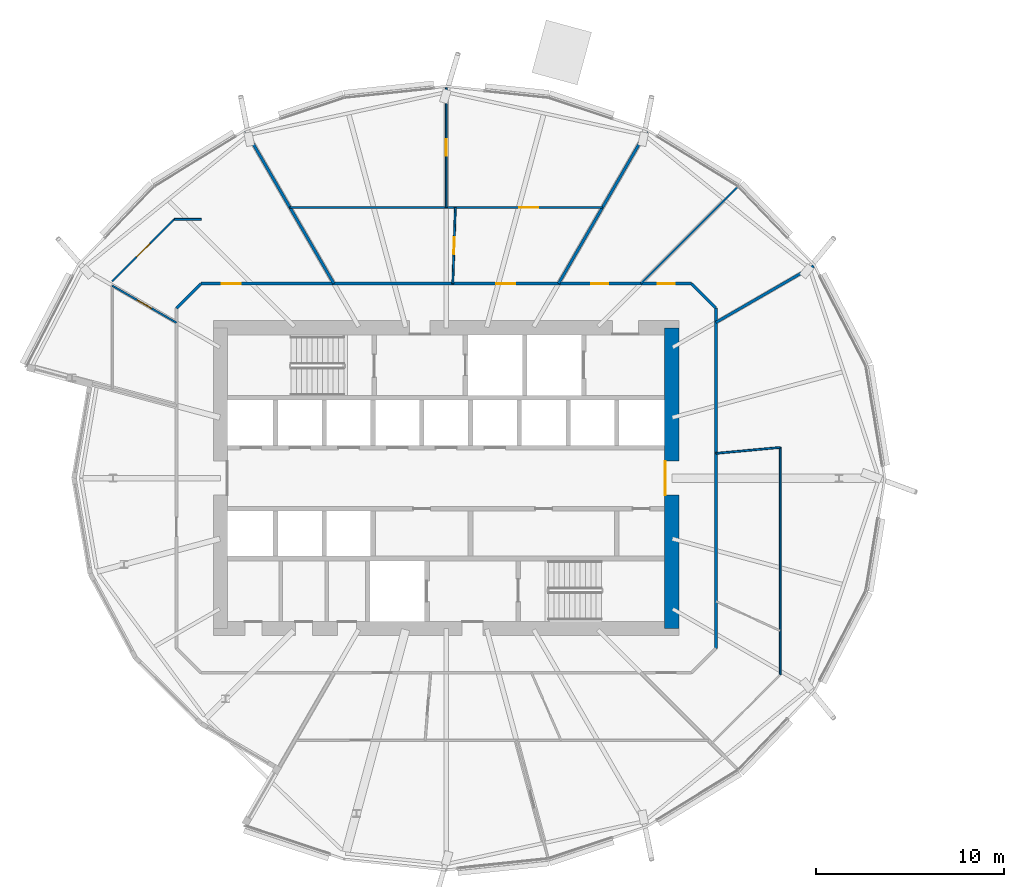
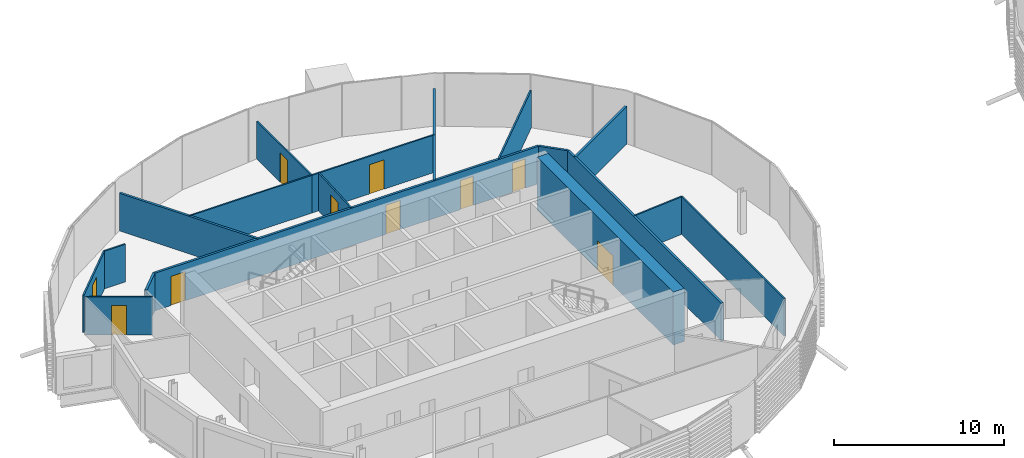
# One storey, part 23 of 38: 18 walls, 10 doors, 10 openings.
"""IFC4 building model written with IfcOpenShell, lengths in metres."""

from ifc_helpers import new_model, si_unit, direction, frame, frame_2d, origin, place, context, subcontext, project, spatial, rectangle, extrude, material, layer, layer_set, type_object, element, fill, save


model = new_model("IFC4")

# Units and contexts
model_context = context("Model", 3, precision=1e-05, world=origin(), true_north=direction((0.0, 1.0)))
body_context = subcontext(model_context, "Body", "Model", "MODEL_VIEW")
ifc_project = project(units=[si_unit("LENGTHUNIT", "METRE"), si_unit("AREAUNIT", "SQUARE_METRE"), si_unit("VOLUMEUNIT", "CUBIC_METRE"), si_unit("PLANEANGLEUNIT", "RADIAN"), si_unit("MASSUNIT", "GRAM", prefix="KILO")], contexts=[model_context])

# Site, building, storey
site_placement = place(None, origin())
site = spatial("IfcSite", under=ifc_project, at=site_placement, CompositionType="ELEMENT")
building_placement = place(site_placement, origin())
building = spatial("IfcBuilding", under=site, at=building_placement, Name="Rimbun Link Towers", CompositionType="ELEMENT")
storey_placement = place(building_placement, frame((0.0, 0.0, 108.199951171875)))
storey = spatial("IfcBuildingStorey", under=building, at=storey_placement, Name="L26", CompositionType="ELEMENT", Elevation=108.199951171875)

# Wall, opening, door
ifc_material_1 = material(Name="Concrete C60/75", Category="concrete")
ifc_layer_1 = layer(ifc_material_1, 0.75)
ifc_layer_set_1 = layer_set([ifc_layer_1], Name="Core shear wall 750")
wall_type_1 = type_object("IfcWallType", Name="Core shear wall 750", PredefinedType="SHEAR", material=ifc_layer_set_1)
wall_1_placement = place(storey_placement, frame((-19.75, -8.0, 0.0), z_axis=(0.0, 0.0, 1.0), x_axis=(0.0, 1.0, 0.0)))
wall_1 = element("IfcWall", 1, at=wall_1_placement, inside=storey, type_object=wall_type_1, Name="L26 T1 core wall E", PredefinedType="SHEAR", context=body_context, shape_type="SweptSolid", body=[
    extrude(rectangle(XDim=16.0, YDim=0.75, at=frame_2d((8.0, 0.0))), origin(), (0.0, 0.0, 1.0), 3.800048828125),
])
opening_1_placement = place(wall_1_placement, frame((7.10009765625, 0.0, 0.0)))
opening_1 = element("IfcOpeningElement", 2, at=opening_1_placement, cuts=wall_1, Name="Opening C1DCL01E", PredefinedType="OPENING", context=body_context, shape_type="SweptSolid", body=[
    extrude(rectangle(XDim=1.800048828125, YDim=2.10009765625, at=frame_2d((0.89990234375, 1.050048828125))), frame((0.0, 0.385009765625, 0.0), z_axis=(0.0, -1.0, 0.0), x_axis=(1.0, 0.0, 0.0)), (0.0, 0.0, 1.0), 0.77001953125),
])
ifc_material_2 = material(Name="Steel fire door set", Category="steel")
door_type_1 = type_object("IfcDoorType", Name="Core lobby door double", OperationType="DOUBLE_DOOR_SINGLE_SWING", PredefinedType="DOOR", material=ifc_material_2)
door_1_placement = place(opening_1_placement, origin())
door_1 = element("IfcDoor", 3, at=door_1_placement, inside=storey, type_object=door_type_1, Name="L26 T1 lift lobby door", OperationType="DOUBLE_DOOR_SINGLE_SWING", OverallHeight=2.10009765625, OverallWidth=1.800048828125, PredefinedType="DOOR", context=body_context, shape_type="SweptSolid", body=[
    extrude(rectangle(XDim=1.800048828125, YDim=2.10009765625, at=frame_2d((0.89990234375, 1.050048828125))), frame((0.0, 0.375, 0.0), z_axis=(0.0, -1.0, 0.0), x_axis=(1.0, 0.0, 0.0)), (0.0, 0.0, 1.0), 0.050048828125),
])
fill(opening_1, door_1)

# Wall, openings, doors
ifc_material_3 = material(Name="Plasterboard on steel stud, mineral wool", Category="steel")
ifc_layer_2 = layer(ifc_material_3, 0.14990234375)
ifc_layer_set_2 = layer_set([ifc_layer_2], Name="Corridor wall EI 30 150 mm")
wall_type_2 = type_object("IfcWallType", Name="Corridor wall EI 30 150 mm", PredefinedType="PARTITIONING", material=ifc_layer_set_2)
wall_2_placement = place(storey_placement, frame((-44.8017578125, 10.35009765625, 0.0), z_axis=(0.0, 0.0, 1.0), x_axis=(1.0, 0.0, 0.0)))
wall_2 = element("IfcWall", 4, at=wall_2_placement, inside=storey, type_object=wall_type_2, Name="Corridor wall EI 30 150 mm", PredefinedType="PARTITIONING", context=body_context, shape_type="SweptSolid", body=[
    extrude(rectangle(XDim=26.103515625, YDim=0.14990234375, at=frame_2d((13.0517578125, 0.0))), origin(), (0.0, 0.0, 1.0), 2.7021484375),
])
opening_2_placement = place(wall_2_placement, frame((24.302490234375, 0.0, 0.0)))
opening_2 = element("IfcOpeningElement", 5, at=opening_2_placement, cuts=wall_2, Name="Opening D02", PredefinedType="OPENING", context=body_context, shape_type="SweptSolid", body=[
    extrude(rectangle(XDim=0.89990234375, YDim=2.10009765625, at=frame_2d((0.449951171875, 1.050048828125))), frame((0.0, 0.0849609375, 0.0), z_axis=(0.0, -1.0, 0.0), x_axis=(1.0, 0.0, 0.0)), (0.0, 0.0, 1.0), 0.169921875),
])
opening_3_placement = place(wall_2_placement, frame((20.764404296875, 0.0, 0.0)))
opening_3 = element("IfcOpeningElement", 6, at=opening_3_placement, cuts=wall_2, Name="Opening D02", PredefinedType="OPENING", context=body_context, shape_type="SweptSolid", body=[
    extrude(rectangle(XDim=0.89990234375, YDim=2.10009765625, at=frame_2d((0.449951171875, 1.050048828125))), frame((0.0, 0.0849609375, 0.0), z_axis=(0.0, -1.0, 0.0), x_axis=(1.0, 0.0, 0.0)), (0.0, 0.0, 1.0), 0.169921875),
])
opening_4_placement = place(wall_2_placement, frame((15.714599609375, 0.0, 0.0)))
opening_4 = element("IfcOpeningElement", 7, at=opening_4_placement, cuts=wall_2, Name="Opening D01", PredefinedType="OPENING", context=body_context, shape_type="SweptSolid", body=[
    extrude(rectangle(XDim=1.0, YDim=2.10009765625, at=frame_2d((0.5, 1.050048828125))), frame((0.0, 0.0849609375, 0.0), z_axis=(0.0, -1.0, 0.0), x_axis=(1.0, 0.0, 0.0)), (0.0, 0.0, 1.0), 0.169921875),
])
opening_5_placement = place(wall_2_placement, frame((1.1123046875, 0.0, 0.0)))
opening_5 = element("IfcOpeningElement", 8, at=opening_5_placement, cuts=wall_2, Name="Opening D01", PredefinedType="OPENING", context=body_context, shape_type="SweptSolid", body=[
    extrude(rectangle(XDim=1.0, YDim=2.10009765625, at=frame_2d((0.5, 1.050048828125))), frame((0.0, 0.0849609375, 0.0), z_axis=(0.0, -1.0, 0.0), x_axis=(1.0, 0.0, 0.0)), (0.0, 0.0, 1.0), 0.169921875),
])
ifc_material_4 = material(Name="Fire-resisting timber door leaf", Category="wood")
door_type_2 = type_object("IfcDoorType", Name="Fire door FD30S 1000", OperationType="NOTDEFINED", PredefinedType="DOOR", material=ifc_material_4)
door_2_placement = place(opening_4_placement, origin())
door_2 = element("IfcDoor", 9, at=door_2_placement, inside=storey, type_object=door_type_2, Name="Fire door FD30S 1000 to Reception", OperationType="SINGLE_SWING_LEFT", OverallHeight=2.10009765625, OverallWidth=1.0, PredefinedType="DOOR", context=body_context, shape_type="SweptSolid", body=[
    extrude(rectangle(XDim=1.0, YDim=2.10009765625, at=frame_2d((0.5, 1.050048828125))), frame((0.0, 0.02490234375, 0.0), z_axis=(0.0, -1.0, 0.0), x_axis=(1.0, 0.0, 0.0)), (0.0, 0.0, 1.0), 0.050048828125),
])
fill(opening_4, door_2)
door_3_placement = place(opening_5_placement, origin())
door_3 = element("IfcDoor", 10, at=door_3_placement, inside=storey, type_object=door_type_2, Name="Fire door FD30S 1000 to Reception", OperationType="SINGLE_SWING_RIGHT", OverallHeight=2.10009765625, OverallWidth=1.0, PredefinedType="DOOR", context=body_context, shape_type="SweptSolid", body=[
    extrude(rectangle(XDim=1.0, YDim=2.10009765625, at=frame_2d((0.5, 1.050048828125))), frame((0.0, 0.02490234375, 0.0), z_axis=(0.0, -1.0, 0.0), x_axis=(1.0, 0.0, 0.0)), (0.0, 0.0, 1.0), 0.050048828125),
])
fill(opening_5, door_3)
ifc_material_5 = material(Name="Fire-resisting timber door leaf", Category="wood")
door_type_3 = type_object("IfcDoorType", Name="Fire door FD30S 900", OperationType="NOTDEFINED", PredefinedType="DOOR", material=ifc_material_5)
door_4_placement = place(opening_2_placement, origin())
door_4 = element("IfcDoor", 11, at=door_4_placement, inside=storey, type_object=door_type_3, Name="Fire door FD30S 900 to Cellular office", OperationType="SINGLE_SWING_RIGHT", OverallHeight=2.10009765625, OverallWidth=0.89990234375, PredefinedType="DOOR", context=body_context, shape_type="SweptSolid", body=[
    extrude(rectangle(XDim=0.89990234375, YDim=2.10009765625, at=frame_2d((0.449951171875, 1.050048828125))), frame((0.0, 0.02490234375, 0.0), z_axis=(0.0, -1.0, 0.0), x_axis=(1.0, 0.0, 0.0)), (0.0, 0.0, 1.0), 0.050048828125),
])
fill(opening_2, door_4)
door_5_placement = place(opening_3_placement, origin())
door_5 = element("IfcDoor", 12, at=door_5_placement, inside=storey, type_object=door_type_3, Name="Fire door FD30S 900 to Cellular office", OperationType="SINGLE_SWING_RIGHT", OverallHeight=2.10009765625, OverallWidth=0.89990234375, PredefinedType="DOOR", context=body_context, shape_type="SweptSolid", body=[
    extrude(rectangle(XDim=0.89990234375, YDim=2.10009765625, at=frame_2d((0.449951171875, 1.050048828125))), frame((0.0, 0.02490234375, 0.0), z_axis=(0.0, -1.0, 0.0), x_axis=(1.0, 0.0, 0.0)), (0.0, 0.0, 1.0), 0.050048828125),
])
fill(opening_3, door_5)

# Walls
wall_3_placement = place(storey_placement, frame((-17.39990234375, 9.0517578125, 0.0), z_axis=(0.0, 0.0, 1.0), x_axis=(-0.707106781187, 0.707106781187, 0.0)))
element("IfcWall", 13, at=wall_3_placement, inside=storey, type_object=wall_type_2, Name="Corridor wall EI 30 150 mm", PredefinedType="PARTITIONING", context=body_context, shape_type="SweptSolid", body=[
    extrude(rectangle(XDim=1.836181640625, YDim=0.14990234375, at=frame_2d((0.91796875, 0.0))), origin(), (0.0, 0.0, 1.0), 2.7021484375),
])
wall_4_placement = place(storey_placement, frame((-17.39990234375, -9.0517578125, 0.0), z_axis=(0.0, 0.0, 1.0), x_axis=(0.0, 1.0, 0.0)))
element("IfcWall", 14, at=wall_4_placement, inside=storey, type_object=wall_type_2, Name="Corridor wall EI 30 150 mm", PredefinedType="PARTITIONING", context=body_context, shape_type="SweptSolid", body=[
    extrude(rectangle(XDim=18.103515625, YDim=0.14990234375, at=frame_2d((9.0517578125, 0.0))), origin(), (0.0, 0.0, 1.0), 2.7021484375),
])
wall_5_placement = place(storey_placement, frame((-44.8017578125, 10.35009765625, 0.0), z_axis=(0.0, 0.0, 1.0), x_axis=(-0.707106781187, -0.707106781187, 0.0)))
element("IfcWall", 15, at=wall_5_placement, inside=storey, type_object=wall_type_2, Name="Corridor wall EI 30 150 mm", PredefinedType="PARTITIONING", context=body_context, shape_type="SweptSolid", body=[
    extrude(rectangle(XDim=1.836181640625, YDim=0.14990234375, at=frame_2d((0.91796875, 0.0))), origin(), (0.0, 0.0, 1.0), 2.7021484375),
])
ifc_material_6 = material(Name="Plasterboard on steel stud", Category="steel")
ifc_layer_3 = layer(ifc_material_6, 0.10009765625)
ifc_layer_set_3 = layer_set([ifc_layer_3], Name="Plasterboard partition 100 mm")
wall_type_3 = type_object("IfcWallType", Name="Plasterboard partition 100 mm", PredefinedType="PARTITIONING", material=ifc_layer_set_3)
wall_6_placement = place(storey_placement, frame((-13.97998046875, -10.46826171875, 0.0), z_axis=(0.0, 0.0, 1.0), x_axis=(0.0, 1.0, 0.0)))
element("IfcWall", 16, at=wall_6_placement, inside=storey, type_object=wall_type_3, Name="Plasterboard partition 100 mm", PredefinedType="PARTITIONING", context=body_context, shape_type="SweptSolid", body=[
    extrude(rectangle(XDim=12.101806640625, YDim=0.10009765625, at=frame_2d((6.05078125, 0.0))), origin(), (0.0, 0.0, 1.0), 2.7021484375),
])
wall_7_placement = place(storey_placement, frame((-13.97998046875, 1.633544921875, 0.0), z_axis=(0.0, 0.0, 1.0), x_axis=(-0.995799448396, -0.09156122855, 0.0)))
element("IfcWall", 17, at=wall_7_placement, inside=storey, type_object=wall_type_3, Name="Plasterboard partition 100 mm", PredefinedType="PARTITIONING", context=body_context, shape_type="SweptSolid", body=[
    extrude(rectangle(XDim=3.434326171875, YDim=0.10009765625, at=frame_2d((1.71728515625, 0.0))), origin(), (0.0, 0.0, 1.0), 2.7021484375),
])
wall_8_placement = place(storey_placement, frame((-16.243408203125, 15.506591796875, 0.0), z_axis=(0.0, 0.0, 1.0), x_axis=(-0.707106781187, -0.707106781187, 0.0)))
element("IfcWall", 18, at=wall_8_placement, inside=storey, type_object=wall_type_3, Name="Plasterboard partition 100 mm", PredefinedType="PARTITIONING", context=body_context, shape_type="SweptSolid", body=[
    extrude(rectangle(XDim=7.29248046875, YDim=0.10009765625, at=frame_2d((3.646240234375, 0.0))), origin(), (0.0, 0.0, 1.0), 2.7021484375),
])

# Wall, opening, door
wall_9_placement = place(storey_placement, frame((-31.399658203125, 10.35009765625, 0.0), z_axis=(0.0, 0.0, 1.0), x_axis=(0.03380030433, 0.999428606468, 0.0)))
wall_9 = element("IfcWall", 19, at=wall_9_placement, inside=storey, type_object=wall_type_3, Name="Plasterboard partition 100 mm", PredefinedType="PARTITIONING", context=body_context, shape_type="SweptSolid", body=[
    extrude(rectangle(XDim=4.052001953125, YDim=0.10009765625, at=frame_2d((2.02587890625, 0.0))), origin(), (0.0, 0.0, 1.0), 2.7021484375),
])
opening_6_placement = place(wall_9_placement, frame((1.576171875, 0.0, 0.0)))
opening_6 = element("IfcOpeningElement", 20, at=opening_6_placement, cuts=wall_9, Name="Opening D04", PredefinedType="OPENING", context=body_context, shape_type="SweptSolid", body=[
    extrude(rectangle(XDim=0.89990234375, YDim=2.10009765625, at=frame_2d((0.449951171875, 1.050048828125))), frame((0.0, 0.06005859375, 0.0), z_axis=(0.0, -1.0, 0.0), x_axis=(1.0, 0.0, 0.0)), (0.0, 0.0, 1.0), 0.1201171875),
])
ifc_material_7 = material(Name="Timber door leaf", Category="wood")
door_type_4 = type_object("IfcDoorType", Name="Flush door 900", OperationType="NOTDEFINED", PredefinedType="DOOR", material=ifc_material_7)
door_6_placement = place(opening_6_placement, origin())
door_6 = element("IfcDoor", 21, at=door_6_placement, inside=storey, type_object=door_type_4, Name="Flush door 900 to Pantry", OperationType="SINGLE_SWING_LEFT", OverallHeight=2.10009765625, OverallWidth=0.89990234375, PredefinedType="DOOR", context=body_context, shape_type="SweptSolid", body=[
    extrude(rectangle(XDim=0.89990234375, YDim=2.10009765625, at=frame_2d((0.449951171875, 1.050048828125))), frame((0.0, 0.02490234375, 0.0), z_axis=(0.0, -1.0, 0.0), x_axis=(1.0, 0.0, 0.0)), (0.0, 0.0, 1.0), 0.050048828125),
])
fill(opening_6, door_6)

wall_10_placement = place(storey_placement, frame((-31.75, 14.39990234375, 0.0), z_axis=(0.0, 0.0, 1.0), x_axis=(1.0, 0.0, 0.0)))
wall_10 = element("IfcWall", 22, at=wall_10_placement, inside=storey, type_object=wall_type_3, Name="Plasterboard partition 100 mm", PredefinedType="PARTITIONING", context=body_context, shape_type="SweptSolid", body=[
    extrude(rectangle(XDim=8.31396484375, YDim=0.10009765625, at=frame_2d((4.156982421875, 0.0))), origin(), (0.0, 0.0, 1.0), 2.7021484375),
])
opening_7_placement = place(wall_10_placement, frame((3.885498046875, 0.0, 0.0)))
opening_7 = element("IfcOpeningElement", 23, at=opening_7_placement, cuts=wall_10, Name="Opening D03", PredefinedType="OPENING", context=body_context, shape_type="SweptSolid", body=[
    extrude(rectangle(XDim=1.0, YDim=2.10009765625, at=frame_2d((0.5, 1.050048828125))), frame((0.0, 0.06005859375, 0.0), z_axis=(0.0, -1.0, 0.0), x_axis=(1.0, 0.0, 0.0)), (0.0, 0.0, 1.0), 0.1201171875),
])
ifc_material_8 = material(Name="Timber door leaf", Category="wood")
door_type_5 = type_object("IfcDoorType", Name="Flush door 1000", OperationType="NOTDEFINED", PredefinedType="DOOR", material=ifc_material_8)
door_7_placement = place(opening_7_placement, origin())
door_7 = element("IfcDoor", 24, at=door_7_placement, inside=storey, type_object=door_type_5, Name="Flush door 1000 to Boardroom", OperationType="SINGLE_SWING_RIGHT", OverallHeight=2.10009765625, OverallWidth=1.0, PredefinedType="DOOR", context=body_context, shape_type="SweptSolid", body=[
    extrude(rectangle(XDim=1.0, YDim=2.10009765625, at=frame_2d((0.5, 1.050048828125))), frame((0.0, 0.02490234375, 0.0), z_axis=(0.0, -1.0, 0.0), x_axis=(1.0, 0.0, 0.0)), (0.0, 0.0, 1.0), 0.050048828125),
])
fill(opening_7, door_7)

# Wall
wall_11_placement = place(storey_placement, frame((-31.75, 14.39990234375, 0.0), z_axis=(0.0, 0.0, 1.0), x_axis=(-1.0, 0.0, 0.0)))
element("IfcWall", 25, at=wall_11_placement, inside=storey, type_object=wall_type_3, Name="Plasterboard partition 100 mm", PredefinedType="PARTITIONING", context=body_context, shape_type="SweptSolid", body=[
    extrude(rectangle(XDim=8.31396484375, YDim=0.10009765625, at=frame_2d((4.156982421875, 0.0))), origin(), (0.0, 0.0, 1.0), 2.7021484375),
])

# Wall, opening, door
wall_12_placement = place(storey_placement, frame((-31.75, 14.39990234375, 0.0), z_axis=(0.0, 0.0, 1.0), x_axis=(0.0, 1.0, 0.0)))
wall_12 = element("IfcWall", 26, at=wall_12_placement, inside=storey, type_object=wall_type_3, Name="Plasterboard partition 100 mm", PredefinedType="PARTITIONING", context=body_context, shape_type="SweptSolid", body=[
    extrude(rectangle(XDim=6.38818359375, YDim=0.10009765625, at=frame_2d((3.194091796875, 0.0))), origin(), (0.0, 0.0, 1.0), 2.7021484375),
])
opening_8_placement = place(wall_12_placement, frame((2.743896484375, 0.0, 0.0)))
opening_8 = element("IfcOpeningElement", 27, at=opening_8_placement, cuts=wall_12, Name="Opening D04", PredefinedType="OPENING", context=body_context, shape_type="SweptSolid", body=[
    extrude(rectangle(XDim=0.89990234375, YDim=2.10009765625, at=frame_2d((0.449951171875, 1.050048828125))), frame((0.0, 0.06005859375, 0.0), z_axis=(0.0, -1.0, 0.0), x_axis=(1.0, 0.0, 0.0)), (0.0, 0.0, 1.0), 0.1201171875),
])
door_8_placement = place(opening_8_placement, origin())
door_8 = element("IfcDoor", 28, at=door_8_placement, inside=storey, type_object=door_type_4, Name="Flush door 900 to Meeting room", OperationType="SINGLE_SWING_LEFT", OverallHeight=2.10009765625, OverallWidth=0.89990234375, PredefinedType="DOOR", context=body_context, shape_type="SweptSolid", body=[
    extrude(rectangle(XDim=0.89990234375, YDim=2.10009765625, at=frame_2d((0.449951171875, 1.050048828125))), frame((0.0, 0.02490234375, 0.0), z_axis=(0.0, -1.0, 0.0), x_axis=(1.0, 0.0, 0.0)), (0.0, 0.0, 1.0), 0.050048828125),
])
fill(opening_8, door_8)

wall_13_placement = place(storey_placement, frame((-46.10009765625, 8.26953125, 0.0), z_axis=(0.0, 0.0, 1.0), x_axis=(-0.866414091521, 0.499326167965, 0.0)))
wall_13 = element("IfcWall", 29, at=wall_13_placement, inside=storey, type_object=wall_type_3, Name="Plasterboard partition 100 mm", PredefinedType="PARTITIONING", context=body_context, shape_type="SweptSolid", body=[
    extrude(rectangle(XDim=3.947265625, YDim=0.10009765625, at=frame_2d((1.9736328125, 0.0))), origin(), (0.0, 0.0, 1.0), 2.7021484375),
])
opening_9_placement = place(wall_13_placement, frame((1.523681640625, 0.0, 0.0)))
opening_9 = element("IfcOpeningElement", 30, at=opening_9_placement, cuts=wall_13, Name="Opening D04", PredefinedType="OPENING", context=body_context, shape_type="SweptSolid", body=[
    extrude(rectangle(XDim=0.89990234375, YDim=2.10009765625, at=frame_2d((0.449951171875, 1.050048828125))), frame((0.0, 0.06005859375, 0.0), z_axis=(0.0, -1.0, 0.0), x_axis=(1.0, 0.0, 0.0)), (0.0, 0.0, 1.0), 0.1201171875),
])
door_9_placement = place(opening_9_placement, origin())
door_9 = element("IfcDoor", 31, at=door_9_placement, inside=storey, type_object=door_type_4, Name="Flush door 900 to Meeting room", OperationType="SINGLE_SWING_RIGHT", OverallHeight=2.10009765625, OverallWidth=0.89990234375, PredefinedType="DOOR", context=body_context, shape_type="SweptSolid", body=[
    extrude(rectangle(XDim=0.89990234375, YDim=2.10009765625, at=frame_2d((0.449951171875, 1.050048828125))), frame((0.0, 0.02490234375, 0.0), z_axis=(0.0, -1.0, 0.0), x_axis=(1.0, 0.0, 0.0)), (0.0, 0.0, 1.0), 0.050048828125),
])
fill(opening_9, door_9)

wall_14_placement = place(storey_placement, frame((-49.52001953125, 10.46826171875, 0.0), z_axis=(0.0, 0.0, 1.0), x_axis=(0.707106781187, 0.707106781187, 0.0)))
wall_14 = element("IfcWall", 32, at=wall_14_placement, inside=storey, type_object=wall_type_3, Name="Plasterboard partition 100 mm", PredefinedType="PARTITIONING", context=body_context, shape_type="SweptSolid", body=[
    extrude(rectangle(XDim=4.66943359375, YDim=0.10009765625, at=frame_2d((2.334716796875, 0.0))), origin(), (0.0, 0.0, 1.0), 2.7021484375),
])
opening_10_placement = place(wall_14_placement, frame((1.834716796875, 0.0, 0.0)))
opening_10 = element("IfcOpeningElement", 33, at=opening_10_placement, cuts=wall_14, Name="Opening D03", PredefinedType="OPENING", context=body_context, shape_type="SweptSolid", body=[
    extrude(rectangle(XDim=1.0, YDim=2.10009765625, at=frame_2d((0.5, 1.050048828125))), frame((0.0, 0.06005859375, 0.0), z_axis=(0.0, -1.0, 0.0), x_axis=(1.0, 0.0, 0.0)), (0.0, 0.0, 1.0), 0.1201171875),
])
door_10_placement = place(opening_10_placement, origin())
door_10 = element("IfcDoor", 34, at=door_10_placement, inside=storey, type_object=door_type_5, Name="Flush door 1000 to Open office", OperationType="SINGLE_SWING_LEFT", OverallHeight=2.10009765625, OverallWidth=1.0, PredefinedType="DOOR", context=body_context, shape_type="SweptSolid", body=[
    extrude(rectangle(XDim=1.0, YDim=2.10009765625, at=frame_2d((0.5, 1.050048828125))), frame((0.0, 0.02490234375, 0.0), z_axis=(0.0, -1.0, 0.0), x_axis=(1.0, 0.0, 0.0)), (0.0, 0.0, 1.0), 0.050048828125),
])
fill(opening_10, door_10)

# Walls
wall_15_placement = place(storey_placement, frame((-44.78271484375, 13.77001953125, 0.0), z_axis=(0.0, 0.0, 1.0), x_axis=(-1.0, 0.0, 0.0)))
element("IfcWall", 35, at=wall_15_placement, inside=storey, type_object=wall_type_3, Name="Plasterboard partition 100 mm", PredefinedType="PARTITIONING", context=body_context, shape_type="SweptSolid", body=[
    extrude(rectangle(XDim=1.435546875, YDim=0.10009765625, at=frame_2d((0.7177734375, 0.0))), origin(), (0.0, 0.0, 1.0), 2.7021484375),
])
ifc_material_9 = material(Name="Plasterboard on steel stud, mineral wool", Category="steel")
ifc_layer_4 = layer(ifc_material_9, 0.14990234375)
ifc_layer_set_4 = layer_set([ifc_layer_4], Name="Tenancy separation wall EI 60 150 mm")
wall_type_4 = type_object("IfcWallType", Name="Tenancy separation wall EI 60 150 mm", PredefinedType="PARTITIONING", material=ifc_layer_set_4)
wall_16_placement = place(storey_placement, frame((-17.39990234375, 8.284912109375, 0.0), z_axis=(0.0, 0.0, 1.0), x_axis=(0.866023117852, 0.500003959331, 0.0)))
element("IfcWall", 36, at=wall_16_placement, inside=storey, type_object=wall_type_4, Name="Tenancy separation wall EI 60 150 mm", PredefinedType="PARTITIONING", context=body_context, shape_type="SweptSolid", body=[
    extrude(rectangle(XDim=6.005859375, YDim=0.14990234375, at=frame_2d((3.0029296875, 0.0))), origin(), (0.0, 0.0, 1.0), 2.7021484375),
])
for number, where, z_axis, x_axis, name in (
    (37, (-25.7744140625, 10.35009765625, 0.0), (0.0, 0.0, 1.0), (0.500000186108, 0.866025296335, 0.0), "Tenancy separation wall EI 60 150 mm"),
    (38, (-37.7255859375, 10.35009765625, 0.0), (0.0, 0.0, 1.0), (-0.500000186108, 0.866025296335, 0.0), "Tenancy separation wall EI 60 150 mm"),
):
    element("IfcWall", number, at=place(storey_placement, frame(where, z_axis=z_axis, x_axis=x_axis)), inside=storey, type_object=wall_type_4, Name=name, PredefinedType="PARTITIONING", context=body_context, shape_type="SweptSolid", body=[
        extrude(rectangle(XDim=9.384765625, YDim=0.14990234375, at=frame_2d((4.6923828125, 0.0))), origin(), (0.0, 0.0, 1.0), 2.7021484375),
    ])

save(model, "model.ifc")
